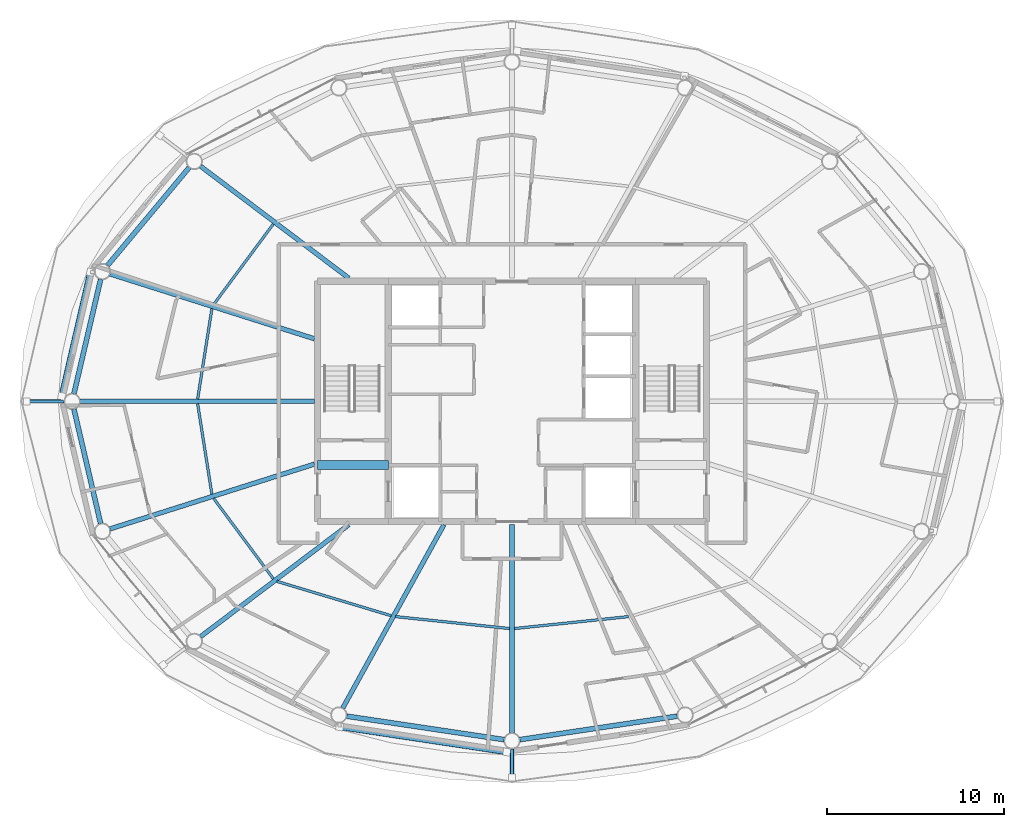
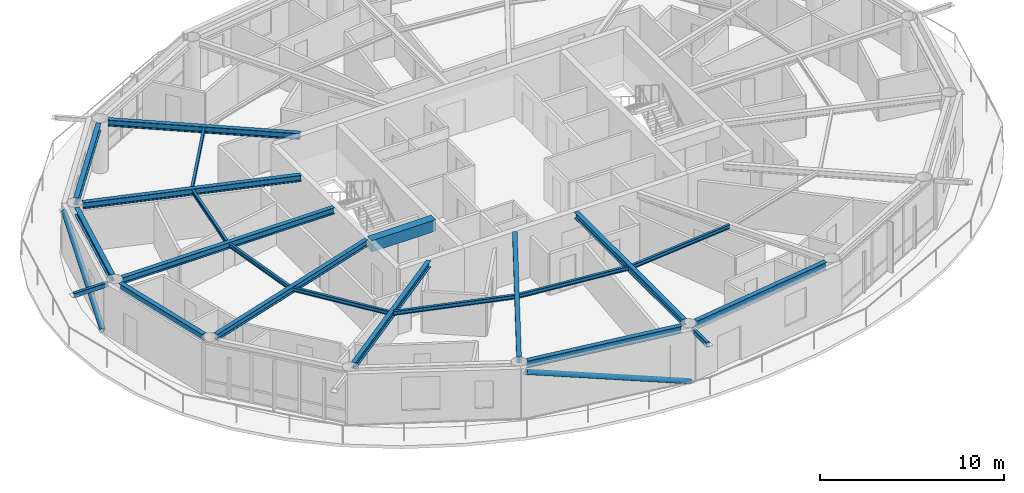
# One storey, part 4 of 22: 20 beams, 4 members.
"""IFC4 building model written with IfcOpenShell, lengths in metres."""

from ifc_helpers import new_model, si_unit, direction, frame, origin, origin_2d, place, context, subcontext, project, spatial, rectangle, hollow_rectangle, hollow_circle, i_section, extrude, material, material_profile, profile_set, type_object, element, save


model = new_model("IFC4")

# Units and contexts
model_context = context("Model", 3, precision=1e-05, world=origin(), true_north=direction((0.0, 1.0)))
body_context = subcontext(model_context, "Body", "Model", "MODEL_VIEW")
ifc_project = project(units=[si_unit("LENGTHUNIT", "METRE"), si_unit("AREAUNIT", "SQUARE_METRE"), si_unit("VOLUMEUNIT", "CUBIC_METRE"), si_unit("PLANEANGLEUNIT", "RADIAN"), si_unit("MASSUNIT", "GRAM", prefix="KILO")], contexts=[model_context])

# Site, building, storey
site_placement = place(None, origin())
site = spatial("IfcSite", under=ifc_project, at=site_placement, CompositionType="ELEMENT")
building_placement = place(site_placement, origin())
building = spatial("IfcBuilding", under=site, at=building_placement, Name="Sarneth Arch Tower", CompositionType="ELEMENT")
storey_placement = place(building_placement, frame((0.0, 0.0, 298.199951171875)))
storey = spatial("IfcBuildingStorey", under=building, at=storey_placement, Name="L77", CompositionType="ELEMENT", Elevation=298.199951171875)

# Beams
ifc_material_1 = material(Name="Steel S355", Category="steel")
ifc_material_profile_1 = material_profile(ifc_material_1, i_section(OverallWidth=0.14794921875, OverallDepth=0.26611328125, WebThickness=0.007568359375, FlangeThickness=0.012939453125, FilletRadius=0.012939453125, at=origin_2d()), Name="W250x44.8")
ifc_profile_set_1 = profile_set([ifc_material_profile_1], Name="Steel S355")
beam_type_1 = type_object("IfcBeamType", Name="BM-JOIST-250", PredefinedType="JOIST", material=ifc_profile_set_1)
beam_1_placement = place(storey_placement, frame((34.4970703125, 52.03564453125, 3.237060546875), z_axis=(-0.595712519616, -0.803197730309, 0.0), x_axis=(0.803197730309, -0.595712519616, 0.0)))
element("IfcBeam", 1, at=beam_1_placement, inside=storey, type_object=beam_type_1, Name="L77 Secondary floor joist 07", PredefinedType="JOIST", context=body_context, shape_type="SweptSolid", body=[
    extrude(i_section(OverallWidth=0.14794921875, OverallDepth=0.26611328125, WebThickness=0.007568359375, FlangeThickness=0.012939453125, FilletRadius=0.012939453125, at=origin_2d()), origin(), (0.0, 0.0, 1.0), 5.669189453125),
])
for number, where, z_axis, x_axis, name in (
    (2, (31.0224609375, 47.249267578125, 3.237060546875), (-0.155556266572, -0.987827033407, 0.0), (0.987827033407, -0.155556266572, 0.0), "L77 Secondary floor joist 08"),
    (3, (30.216064453125, 41.87158203125, 3.237060546875), (0.155556266572, -0.987827033407, 0.0), (0.987827033407, 0.155556266572, 0.0), "L77 Secondary floor joist 09"),
):
    element("IfcBeam", number, at=place(storey_placement, frame(where, z_axis=z_axis, x_axis=x_axis)), inside=storey, type_object=beam_type_1, Name=name, PredefinedType="JOIST", context=body_context, shape_type="SweptSolid", body=[
        extrude(i_section(OverallWidth=0.14794921875, OverallDepth=0.26611328125, WebThickness=0.007568359375, FlangeThickness=0.012939453125, FilletRadius=0.012939453125, at=origin_2d()), origin(), (0.0, 0.0, 1.0), 5.183837890625),
    ])
beam_2_placement = place(storey_placement, frame((31.119873046875, 36.517822265625, 3.237060546875), z_axis=(0.595712519616, -0.803197730309, 0.0), x_axis=(0.803197730309, 0.595712519616, 0.0)))
element("IfcBeam", 4, at=beam_2_placement, inside=storey, type_object=beam_type_1, Name="L77 Secondary floor joist 10", PredefinedType="JOIST", context=body_context, shape_type="SweptSolid", body=[
    extrude(i_section(OverallWidth=0.14794921875, OverallDepth=0.26611328125, WebThickness=0.007568359375, FlangeThickness=0.012939453125, FilletRadius=0.012939453125, at=origin_2d()), origin(), (0.0, 0.0, 1.0), 5.669189453125),
])
beam_3_placement = place(storey_placement, frame((34.698974609375, 31.822509765625, 3.237060546875), z_axis=(0.95760703602, -0.288077705776, 0.0), x_axis=(0.288077705776, 0.95760703602, 0.0)))
element("IfcBeam", 5, at=beam_3_placement, inside=storey, type_object=beam_type_1, Name="L77 Secondary floor joist 11", PredefinedType="JOIST", context=body_context, shape_type="SweptSolid", body=[
    extrude(i_section(OverallWidth=0.14794921875, OverallDepth=0.26611328125, WebThickness=0.007568359375, FlangeThickness=0.012939453125, FilletRadius=0.012939453125, at=origin_2d()), origin(), (0.0, 0.0, 1.0), 6.7509765625),
])
for number, where, z_axis, x_axis, name in (
    (6, (41.417724609375, 29.82666015625, 3.237060546875), (0.994564879221, -0.104118687178, 0.0), (0.104118687178, 0.994564879221, 0.0), "L77 Secondary floor joist 12"),
    (7, (48.12939453125, 29.151123046875, 3.237060546875), (0.994564879221, 0.104118687178, 0.0), (-0.104118687178, 0.994564879221, 0.0), "L77 Secondary floor joist 13"),
):
    element("IfcBeam", number, at=place(storey_placement, frame(where, z_axis=z_axis, x_axis=x_axis)), inside=storey, type_object=beam_type_1, Name=name, PredefinedType="JOIST", context=body_context, shape_type="SweptSolid", body=[
        extrude(i_section(OverallWidth=0.14794921875, OverallDepth=0.26611328125, WebThickness=0.007568359375, FlangeThickness=0.012939453125, FilletRadius=0.012939453125, at=origin_2d()), origin(), (0.0, 0.0, 1.0), 6.488037109375),
    ])
ifc_material_2 = material(Name="Concrete C50/60", Category="concrete")
ifc_material_profile_2 = material_profile(ifc_material_2, rectangle(XDim=0.5, YDim=0.75, at=origin_2d()), Name="RC-500x750")
ifc_profile_set_2 = profile_set([ifc_material_profile_2], Name="Concrete C50/60")
beam_type_2 = type_object("IfcBeamType", Name="BM-LINTEL-RC", PredefinedType="LINTEL", material=ifc_profile_set_2)
beam_4_placement = place(storey_placement, frame((37.0, 38.39990234375, 2.9951171875), z_axis=(1.0, 0.0, 0.0), x_axis=(0.0, 1.0, 0.0)))
element("IfcBeam", 8, at=beam_4_placement, inside=storey, type_object=beam_type_2, Name="L77 Core coupling lintel W", PredefinedType="LINTEL", context=body_context, shape_type="SweptSolid", body=[
    extrude(rectangle(XDim=0.5, YDim=0.75, at=origin_2d()), origin(), (0.0, 0.0, 1.0), 4.0),
])
ifc_material_3 = material(Name="Steel S355", Category="steel")
ifc_material_profile_3 = material_profile(ifc_material_3, i_section(OverallWidth=0.260009765625, OverallDepth=0.4150390625, WebThickness=0.010009765625, FlangeThickness=0.016845703125, FilletRadius=0.01611328125, at=origin_2d()), Name="W410x100")
ifc_profile_set_3 = profile_set([ifc_material_profile_3], Name="Steel S355")
beam_type_3 = type_object("IfcBeamType", Name="BM-RAD-410A", PredefinedType="BEAM", material=ifc_profile_set_3)
beam_5_placement = place(storey_placement, frame((38.76513671875, 48.97509765625, 3.16259765625), z_axis=(-0.797981595352, 0.602681817777, 0.0), x_axis=(-0.602681817777, -0.797981595352, 0.0)))
element("IfcBeam", 9, at=beam_5_placement, inside=storey, type_object=beam_type_3, Name="L77 Radial floor girder 07", PredefinedType="BEAM", context=body_context, shape_type="SweptSolid", body=[
    extrude(i_section(OverallWidth=0.260009765625, OverallDepth=0.4150390625, WebThickness=0.010009765625, FlangeThickness=0.016845703125, FilletRadius=0.01611328125, at=origin_2d()), origin(), (0.0, 0.0, 1.0), 10.503173828125),
])
beam_6_placement = place(storey_placement, frame((36.824951171875, 45.5439453125, 3.16259765625), z_axis=(-0.95321762769, 0.302284889237, 0.0), x_axis=(-0.302284889237, -0.95321762769, 0.0)))
element("IfcBeam", 10, at=beam_6_placement, inside=storey, type_object=beam_type_3, Name="L77 Radial floor girder 08", PredefinedType="BEAM", context=body_context, shape_type="SweptSolid", body=[
    extrude(i_section(OverallWidth=0.260009765625, OverallDepth=0.4150390625, WebThickness=0.010009765625, FlangeThickness=0.016845703125, FilletRadius=0.01611328125, at=origin_2d()), origin(), (0.0, 0.0, 1.0), 12.132568359375),
])
beam_7_placement = place(storey_placement, frame((36.824951171875, 42.0, 3.16259765625), z_axis=(-1.0, 0.0, 0.0), x_axis=(0.0, -1.0, 0.0)))
element("IfcBeam", 11, at=beam_7_placement, inside=storey, type_object=beam_type_3, Name="L77 Radial floor girder 09", PredefinedType="BEAM", context=body_context, shape_type="SweptSolid", body=[
    extrude(i_section(OverallWidth=0.260009765625, OverallDepth=0.4150390625, WebThickness=0.010009765625, FlangeThickness=0.016845703125, FilletRadius=0.01611328125, at=origin_2d()), origin(), (0.0, 0.0, 1.0), 13.258056640625),
])
beam_8_placement = place(storey_placement, frame((36.824951171875, 38.4560546875, 3.16259765625), z_axis=(-0.95321762769, -0.302284889237, 0.0), x_axis=(0.302284889237, -0.95321762769, 0.0)))
element("IfcBeam", 12, at=beam_8_placement, inside=storey, type_object=beam_type_3, Name="L77 Radial floor girder 10", PredefinedType="BEAM", context=body_context, shape_type="SweptSolid", body=[
    extrude(i_section(OverallWidth=0.260009765625, OverallDepth=0.4150390625, WebThickness=0.010009765625, FlangeThickness=0.016845703125, FilletRadius=0.01611328125, at=origin_2d()), origin(), (0.0, 0.0, 1.0), 12.132568359375),
])
beam_9_placement = place(storey_placement, frame((38.76513671875, 35.02490234375, 3.16259765625), z_axis=(-0.797981595352, -0.602681817777, 0.0), x_axis=(0.602681817777, -0.797981595352, 0.0)))
element("IfcBeam", 13, at=beam_9_placement, inside=storey, type_object=beam_type_3, Name="L77 Radial floor girder 11", PredefinedType="BEAM", context=body_context, shape_type="SweptSolid", body=[
    extrude(i_section(OverallWidth=0.260009765625, OverallDepth=0.4150390625, WebThickness=0.010009765625, FlangeThickness=0.016845703125, FilletRadius=0.01611328125, at=origin_2d()), origin(), (0.0, 0.0, 1.0), 10.503173828125),
])
beam_10_placement = place(storey_placement, frame((44.150146484375, 35.02490234375, 3.16259765625), z_axis=(-0.483229367873, -0.875493790969, 0.0), x_axis=(0.875493790969, -0.483229367873, 0.0)))
element("IfcBeam", 14, at=beam_10_placement, inside=storey, type_object=beam_type_3, Name="L77 Radial floor girder 12", PredefinedType="BEAM", context=body_context, shape_type="SweptSolid", body=[
    extrude(i_section(OverallWidth=0.260009765625, OverallDepth=0.4150390625, WebThickness=0.010009765625, FlangeThickness=0.016845703125, FilletRadius=0.01611328125, at=origin_2d()), origin(), (0.0, 0.0, 1.0), 11.843994140625),
])
beam_11_placement = place(storey_placement, frame((48.0, 35.02490234375, 3.16259765625), z_axis=(0.0, -1.0, 0.0), x_axis=(1.0, 0.0, 0.0)))
element("IfcBeam", 15, at=beam_11_placement, inside=storey, type_object=beam_type_3, Name="L77 Radial floor girder 13", PredefinedType="BEAM", context=body_context, shape_type="SweptSolid", body=[
    extrude(i_section(OverallWidth=0.260009765625, OverallDepth=0.4150390625, WebThickness=0.010009765625, FlangeThickness=0.016845703125, FilletRadius=0.01611328125, at=origin_2d()), origin(), (0.0, 0.0, 1.0), 11.77490234375),
])
ifc_material_4 = material(Name="Steel S355", Category="steel")
ifc_material_profile_4 = material_profile(ifc_material_4, i_section(OverallWidth=0.280029296875, OverallDepth=0.462890625, WebThickness=0.0107421875, FlangeThickness=0.017333984375, FilletRadius=0.01806640625, at=origin_2d()), Name="W460x113")
ifc_profile_set_4 = profile_set([ifc_material_profile_4], Name="Steel S355")
beam_type_4 = type_object("IfcBeamType", Name="BM-RAD-460A", PredefinedType="BEAM", material=ifc_profile_set_4)
beam_12_placement = place(storey_placement, frame((29.736572265625, 55.230712890625, 3.138427734375), z_axis=(-0.640390876881, -0.768049168222, 0.0), x_axis=(0.768049168222, -0.640390876881, 0.0)))
element("IfcBeam", 16, at=beam_12_placement, inside=storey, type_object=beam_type_4, Name="L77 Perimeter spandrel beam 07", PredefinedType="BEAM", context=body_context, shape_type="SweptSolid", body=[
    extrude(i_section(OverallWidth=0.280029296875, OverallDepth=0.462890625, WebThickness=0.0107421875, FlangeThickness=0.017333984375, FilletRadius=0.01806640625, at=origin_2d()), origin(), (0.0, 0.0, 1.0), 7.2099609375),
])
for number, where, z_axis, x_axis, name in (
    (17, (24.72900390625, 48.9091796875, 3.138427734375), (-0.227247037844, -0.973837144389, 0.0), (0.973837144389, -0.227247037844, 0.0), "L77 Perimeter spandrel beam 08"),
    (18, (23.218994140625, 41.561767578125, 3.138427734375), (0.227247037844, -0.973837144389, 0.0), (0.973837144389, 0.227247037844, 0.0), "L77 Perimeter spandrel beam 09"),
):
    element("IfcBeam", number, at=place(storey_placement, frame(where, z_axis=z_axis, x_axis=x_axis)), inside=storey, type_object=beam_type_4, Name=name, PredefinedType="BEAM", context=body_context, shape_type="SweptSolid", body=[
        extrude(i_section(OverallWidth=0.280029296875, OverallDepth=0.462890625, WebThickness=0.0107421875, FlangeThickness=0.017333984375, FilletRadius=0.01806640625, at=origin_2d()), origin(), (0.0, 0.0, 1.0), 6.644775390625),
    ])
for number, where, z_axis, x_axis, name in (
    (19, (38.654296875, 24.195068359375, 3.138427734375), (0.989041765772, -0.147635990052, 0.0), (0.147635990052, 0.989041765772, 0.0), "L77 Perimeter spandrel beam 12"),
    (20, (48.445068359375, 22.866455078125, 3.138427734375), (0.989041765772, 0.147635990052, 0.0), (-0.147635990052, 0.989041765772, 0.0), "L77 Perimeter spandrel beam 13"),
):
    element("IfcBeam", number, at=place(storey_placement, frame(where, z_axis=z_axis, x_axis=x_axis)), inside=storey, type_object=beam_type_4, Name=name, PredefinedType="BEAM", context=body_context, shape_type="SweptSolid", body=[
        extrude(i_section(OverallWidth=0.280029296875, OverallDepth=0.462890625, WebThickness=0.0107421875, FlangeThickness=0.017333984375, FilletRadius=0.01806640625, at=origin_2d()), origin(), (0.0, 0.0, 1.0), 8.999267578125),
    ])

# Members
ifc_material_5 = material(Name="Steel S355", Category="steel")
ifc_material_profile_5 = material_profile(ifc_material_5, hollow_rectangle(XDim=0.199951171875, YDim=0.300048828125, WallThickness=0.012451171875, InnerFilletRadius=0.018798828125, OuterFilletRadius=0.03125, at=origin_2d()), Name="RHS300x200x12.5")
ifc_profile_set_5 = profile_set([ifc_material_profile_5], Name="Steel S355")
member_type_1 = type_object("IfcMemberType", Name="MEM-CANT-STRUT", PredefinedType="STRUT", material=ifc_profile_set_5)
member_1_placement = place(storey_placement, frame((22.666748046875, 42.0, 3.2099609375), z_axis=(-1.0, 0.0, 0.0), x_axis=(0.0, -1.0, 0.0)))
element("IfcMember", 21, at=member_1_placement, inside=storey, type_object=member_type_1, Name="L77 Balcony cantilever bracket 09", PredefinedType="STRUT", context=body_context, shape_type="SweptSolid", body=[
    extrude(hollow_rectangle(XDim=0.199951171875, YDim=0.300048828125, WallThickness=0.012451171875, InnerFilletRadius=0.018798828125, OuterFilletRadius=0.03125, at=origin_2d()), origin(), (0.0, 0.0, 1.0), 2.1220703125),
])
member_2_placement = place(storey_placement, frame((48.0, 22.35009765625, 3.2099609375), z_axis=(0.0, -1.0, 0.0), x_axis=(1.0, 0.0, 0.0)))
element("IfcMember", 22, at=member_2_placement, inside=storey, type_object=member_type_1, Name="L77 Balcony cantilever bracket 13", PredefinedType="STRUT", context=body_context, shape_type="SweptSolid", body=[
    extrude(hollow_rectangle(XDim=0.199951171875, YDim=0.300048828125, WallThickness=0.012451171875, InnerFilletRadius=0.018798828125, OuterFilletRadius=0.03125, at=origin_2d()), origin(), (0.0, 0.0, 1.0), 1.6279296875),
])
ifc_material_6 = material(Name="Steel S355", Category="steel")
ifc_material_profile_6 = material_profile(ifc_material_6, hollow_circle(Radius=0.162109375, WallThickness=0.012451171875, at=origin_2d()), Name="CHS324x12.5")
ifc_profile_set_6 = profile_set([ifc_material_profile_6], Name="Steel S355")
member_type_2 = type_object("IfcMemberType", Name="MEM-DIAG-BR3", PredefinedType="BRACE", material=ifc_profile_set_6)
member_3_placement = place(storey_placement, frame((22.5234375, 42.292236328125, 0.02001953125), z_axis=(0.207343373373, 0.896265487877, 0.392067469651), x_axis=(-0.974268900284, 0.225388797281, 0.0)))
element("IfcMember", 23, at=member_3_placement, inside=storey, type_object=member_type_2, Name="L77 Perimeter frame diagonal 08", PredefinedType="BRACE", context=body_context, shape_type="SweptSolid", body=[
    extrude(hollow_circle(Radius=0.162109375, WallThickness=0.012451171875, at=origin_2d()), origin(), (0.0, 0.0, 1.0), 7.836181640625),
])
member_4_placement = place(storey_placement, frame((47.703369140625, 22.16455078125, 0.02001953125), z_axis=(-0.941471055877, 0.141762627625, 0.305835917372), x_axis=(-0.148897148305, -0.988852688335, 0.0)))
element("IfcMember", 24, at=member_4_placement, inside=storey, type_object=member_type_2, Name="L77 Perimeter frame diagonal 12", PredefinedType="BRACE", context=body_context, shape_type="SweptSolid", body=[
    extrude(hollow_circle(Radius=0.162109375, WallThickness=0.012451171875, at=origin_2d()), origin(), (0.0, 0.0, 1.0), 10.04541015625),
])

save(model, "model.ifc")
